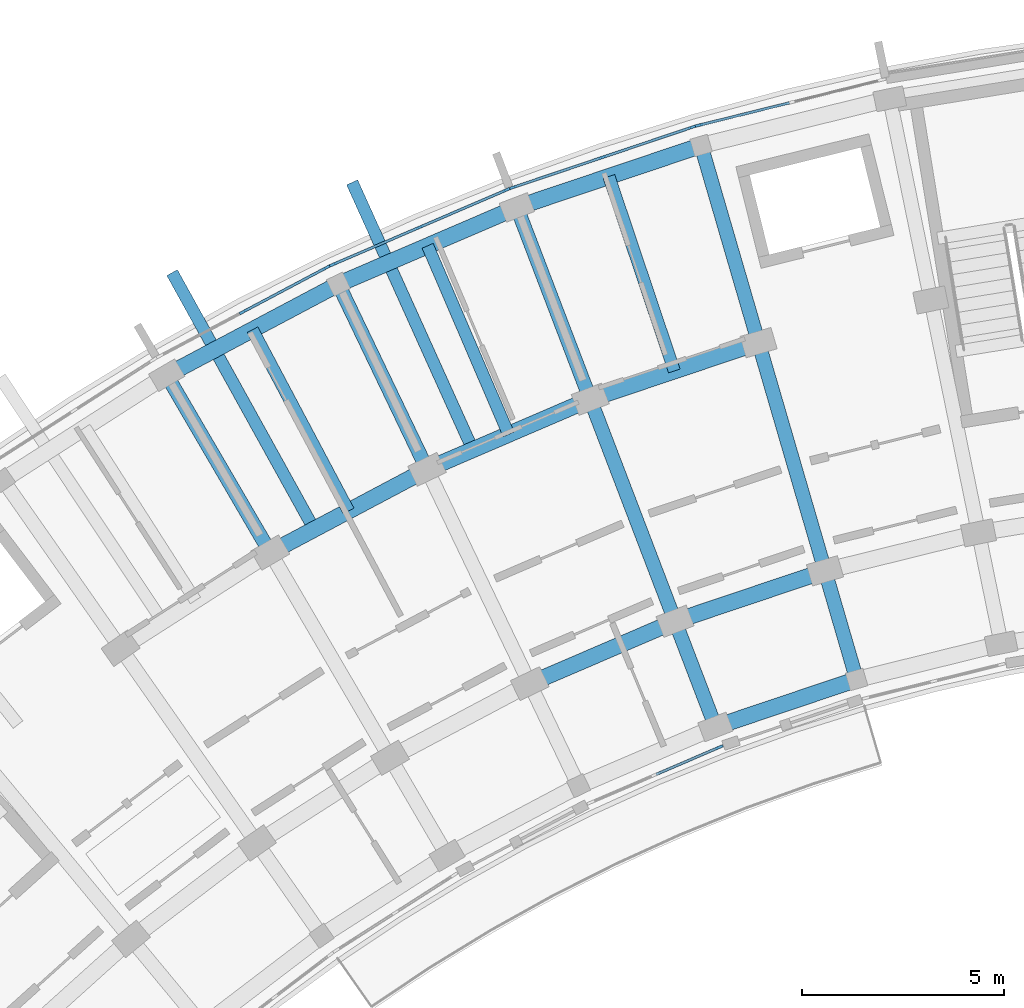
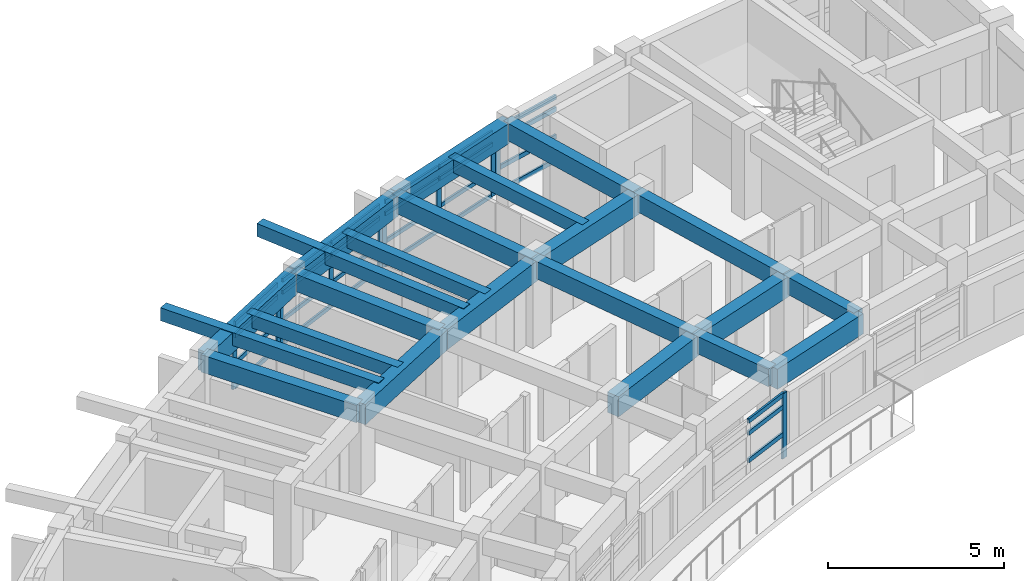
# One storey, part 5 of 56: 37 members, 22 beams, 5 elements without a shape of their own.
"""IFC4 building model written with IfcOpenShell, lengths in metres."""

from ifc_helpers import new_model, si_unit, direction, frame, origin, origin_2d, place, context, subcontext, project, spatial, rectangle, extrude, material, material_profile, profile_set, type_object, element, aggregate, save


model = new_model("IFC4")

# Units and contexts
model_context = context("Model", 3, precision=1e-05, world=origin(), true_north=direction((0.0, 1.0)))
body_context = subcontext(model_context, "Body", "Model", "MODEL_VIEW")
ifc_project = project(units=[si_unit("LENGTHUNIT", "METRE"), si_unit("AREAUNIT", "SQUARE_METRE"), si_unit("VOLUMEUNIT", "CUBIC_METRE"), si_unit("PLANEANGLEUNIT", "RADIAN"), si_unit("MASSUNIT", "GRAM", prefix="KILO")], contexts=[model_context])

# Site, building, storey
site_placement = place(None, origin())
site = spatial("IfcSite", under=ifc_project, at=site_placement, CompositionType="ELEMENT")
building_placement = place(site_placement, origin())
building = spatial("IfcBuilding", under=site, at=building_placement, Name="Zimvara Arc Housing Community", CompositionType="ELEMENT")
storey_placement = place(building_placement, frame((0.0, 0.0, 17.39990234375)))
storey = spatial("IfcBuildingStorey", under=building, at=storey_placement, Name="L05", CompositionType="ELEMENT", Elevation=17.39990234375)

# Beams
ifc_material_1 = material(Name="Concrete C40/50", Category="concrete")
ifc_material_profile_1 = material_profile(ifc_material_1, rectangle(XDim=0.300048828125, YDim=0.449951171875, at=origin_2d()), Name="RC 300x450")
ifc_profile_set_1 = profile_set([ifc_material_profile_1], Name="Concrete C40/50")
beam_type_1 = type_object("IfcBeamType", Name="BM-RC-300x450", PredefinedType="JOIST", material=ifc_profile_set_1)
beam_1_placement = place(storey_placement, frame((19.813232421875, 91.9892578125, 2.64501953125), z_axis=(-0.46853732736, 0.883443701019, 0.0), x_axis=(-0.883443701019, -0.46853732736, 0.0)))
element("IfcBeam", 1, at=beam_1_placement, inside=storey, type_object=beam_type_1, Name="bm:blkA:L05:joist:b4", PredefinedType="JOIST", context=body_context, shape_type="SweptSolid", body=[
    extrude(rectangle(XDim=0.300048828125, YDim=0.449951171875, at=origin_2d()), origin(), (0.0, 0.0, 1.0), 5.07568359375),
])
beam_2_placement = place(storey_placement, frame((23.77197265625, 93.885986328125, 2.64501953125), z_axis=(-0.394929109608, 0.918711596958, 0.0), x_axis=(-0.918711596958, -0.394929109608, 0.0)))
element("IfcBeam", 2, at=beam_2_placement, inside=storey, type_object=beam_type_1, Name="bm:blkA:L05:joist:b5", PredefinedType="JOIST", context=body_context, shape_type="SweptSolid", body=[
    extrude(rectangle(XDim=0.300048828125, YDim=0.449951171875, at=origin_2d()), origin(), (0.0, 0.0, 1.0), 5.075927734375),
])
beam_3_placement = place(storey_placement, frame((27.8720703125, 95.453369140625, 2.64501953125), z_axis=(-0.318607669836, 0.947886677152, 0.0), x_axis=(-0.947886677152, -0.318607669836, 0.0)))
element("IfcBeam", 3, at=beam_3_placement, inside=storey, type_object=beam_type_1, Name="bm:blkA:L05:joist:b6", PredefinedType="JOIST", context=body_context, shape_type="SweptSolid", body=[
    extrude(rectangle(XDim=0.300048828125, YDim=0.449951171875, at=origin_2d()), origin(), (0.0, 0.0, 1.0), 5.07568359375),
])
for number, where, z_axis, x_axis, name in (
    (4, (18.942138671875, 91.568359375, 2.6650390625), (-0.4843274379, 0.874886811477, 0.0), (-0.874886811477, -0.4843274379, 0.0), "bm:blkA:L05:cant_out:b4"),
    (5, (22.869384765625, 93.53759765625, 2.6650390625), (-0.411355676266, 0.91147490783, 0.0), (-0.91147490783, -0.411355676266, 0.0), "bm:blkA:L05:cant_out:b5"),
):
    element("IfcBeam", number, at=place(storey_placement, frame(where, z_axis=z_axis, x_axis=x_axis)), inside=storey, type_object=beam_type_1, Name=name, PredefinedType="JOIST", context=body_context, shape_type="SweptSolid", body=[
        extrude(rectangle(XDim=0.300048828125, YDim=0.449951171875, at=origin_2d()), origin(), (0.0, 0.0, 1.0), 7.219970703125),
    ])
ifc_material_2 = material(Name="Concrete C40/50", Category="concrete")
ifc_material_profile_2 = material_profile(ifc_material_2, rectangle(XDim=0.35009765625, YDim=0.60009765625, at=origin_2d()), Name="RC 350x600")
ifc_profile_set_2 = profile_set([ifc_material_profile_2], Name="Concrete C40/50")
beam_type_2 = type_object("IfcBeamType", Name="BM-RC-350x600", PredefinedType="BEAM", material=ifc_profile_set_2)
beam_4_placement = place(storey_placement, frame((17.87255859375, 90.960205078125, 2.570068359375), z_axis=(-0.504196701544, 0.863588840915, 0.0), x_axis=(-0.863588840915, -0.504196701544, 0.0)))
element("IfcBeam", 6, at=beam_4_placement, inside=storey, type_object=beam_type_2, Name="bm:blkA:L05:rad:b4:r23", PredefinedType="BEAM", context=body_context, shape_type="SweptSolid", body=[
    extrude(rectangle(XDim=0.35009765625, YDim=0.60009765625, at=origin_2d()), origin(), (0.0, 0.0, 1.0), 5.079833984375),
])
beam_5_placement = place(storey_placement, frame((21.75390625, 93.0185546875, 2.570068359375), z_axis=(-0.432098194978, 0.901826563091, 0.0), x_axis=(-0.901826563091, -0.432098194978, 0.0)))
element("IfcBeam", 7, at=beam_5_placement, inside=storey, type_object=beam_type_2, Name="bm:blkA:L05:rad:b5:r23", PredefinedType="BEAM", context=body_context, shape_type="SweptSolid", body=[
    extrude(rectangle(XDim=0.35009765625, YDim=0.60009765625, at=origin_2d()), origin(), (0.0, 0.0, 1.0), 5.080078125),
])
beam_6_placement = place(storey_placement, frame((28.88916015625, 86.645751953125, 2.570068359375), z_axis=(-0.357079289134, 0.934074076972, 0.0), x_axis=(-0.934074076972, -0.357079289134, 0.0)))
element("IfcBeam", 8, at=beam_6_placement, inside=storey, type_object=beam_type_2, Name="bm:blkA:L05:rad:b6:r01", PredefinedType="BEAM", context=body_context, shape_type="SweptSolid", body=[
    extrude(rectangle(XDim=0.35009765625, YDim=0.60009765625, at=origin_2d()), origin(), (0.0, 0.0, 1.0), 2.7998046875),
])
beam_7_placement = place(storey_placement, frame((27.889404296875, 89.260986328125, 2.570068359375), z_axis=(-0.357036247742, 0.934090529766, 0.0), x_axis=(-0.934090529766, -0.357036247742, 0.0)))
element("IfcBeam", 9, at=beam_7_placement, inside=storey, type_object=beam_type_2, Name="bm:blkA:L05:rad:b6:r12", PredefinedType="BEAM", context=body_context, shape_type="SweptSolid", body=[
    extrude(rectangle(XDim=0.35009765625, YDim=0.60009765625, at=origin_2d()), origin(), (0.0, 0.0, 1.0), 5.8798828125),
])
beam_8_placement = place(storey_placement, frame((25.7900390625, 94.75341796875, 2.570068359375), z_axis=(-0.357078271386, 0.934074466038, 0.0), x_axis=(-0.934074466038, -0.357078271386, 0.0)))
element("IfcBeam", 10, at=beam_8_placement, inside=storey, type_object=beam_type_2, Name="bm:blkA:L05:rad:b6:r23", PredefinedType="BEAM", context=body_context, shape_type="SweptSolid", body=[
    extrude(rectangle(XDim=0.35009765625, YDim=0.60009765625, at=origin_2d()), origin(), (0.0, 0.0, 1.0), 5.080078125),
])
beam_9_placement = place(storey_placement, frame((32.381591796875, 87.819580078125, 2.570068359375), z_axis=(-0.279635015525, 0.960106378529, 0.0), x_axis=(-0.960106378529, -0.279635015525, 0.0)))
element("IfcBeam", 11, at=beam_9_placement, inside=storey, type_object=beam_type_2, Name="bm:blkA:L05:rad:b7:r01", PredefinedType="BEAM", context=body_context, shape_type="SweptSolid", body=[
    extrude(rectangle(XDim=0.35009765625, YDim=0.60009765625, at=origin_2d()), origin(), (0.0, 0.0, 1.0), 2.800048828125),
])
beam_10_placement = place(storey_placement, frame((31.5986328125, 90.5078125, 2.570068359375), z_axis=(-0.27967473749, 0.960094808449, 0.0), x_axis=(-0.960094808449, -0.27967473749, 0.0)))
element("IfcBeam", 12, at=beam_10_placement, inside=storey, type_object=beam_type_2, Name="bm:blkA:L05:rad:b7:r12", PredefinedType="BEAM", context=body_context, shape_type="SweptSolid", body=[
    extrude(rectangle(XDim=0.35009765625, YDim=0.60009765625, at=origin_2d()), origin(), (0.0, 0.0, 1.0), 5.880126953125),
])
beam_11_placement = place(storey_placement, frame((29.9541015625, 96.1533203125, 2.570068359375), z_axis=(-0.279662254096, 0.960098444762, 0.0), x_axis=(-0.960098444762, -0.279662254096, 0.0)))
element("IfcBeam", 13, at=beam_11_placement, inside=storey, type_object=beam_type_2, Name="bm:blkA:L05:rad:b7:r23", PredefinedType="BEAM", context=body_context, shape_type="SweptSolid", body=[
    extrude(rectangle(XDim=0.35009765625, YDim=0.60009765625, at=origin_2d()), origin(), (0.0, 0.0, 1.0), 5.079833984375),
])
ifc_material_3 = material(Name="Concrete C40/50", Category="concrete")
ifc_material_profile_3 = material_profile(ifc_material_3, rectangle(XDim=0.39990234375, YDim=0.699951171875, at=origin_2d()), Name="RC 400x700")
ifc_profile_set_3 = profile_set([ifc_material_profile_3], Name="Concrete C40/50")
beam_type_3 = type_object("IfcBeamType", Name="BM-RC-400x700", PredefinedType="BEAM", material=ifc_profile_set_3)
beam_12_placement = place(storey_placement, frame((28.88916015625, 86.645751953125, 2.52001953125), z_axis=(0.94789181932, 0.31859237101, 0.0), x_axis=(-0.31859237101, 0.94789181932, 0.0)))
element("IfcBeam", 14, at=beam_12_placement, inside=storey, type_object=beam_type_3, Name="bm:blkA:L05:chord:r0:b6", PredefinedType="BEAM", context=body_context, shape_type="SweptSolid", body=[
    extrude(rectangle(XDim=0.39990234375, YDim=0.699951171875, at=origin_2d()), origin(), (0.0, 0.0, 1.0), 3.684326171875),
])
for number, where, z_axis, x_axis, name in (
    (15, (24.29443359375, 87.7158203125, 2.52001953125), (0.91873144242, 0.394882940514, 0.0), (-0.394882940514, 0.91873144242, 0.0), "bm:blkA:L05:chord:r1:b5"),
    (16, (27.889404296875, 89.260986328125, 2.52001953125), (0.947881689069, 0.31862250945, 0.0), (-0.31862250945, 0.947881689069, 0.0), "bm:blkA:L05:chord:r1:b6"),
):
    element("IfcBeam", number, at=place(storey_placement, frame(where, z_axis=z_axis, x_axis=x_axis)), inside=storey, type_object=beam_type_3, Name=name, PredefinedType="BEAM", context=body_context, shape_type="SweptSolid", body=[
        extrude(rectangle(XDim=0.39990234375, YDim=0.699951171875, at=origin_2d()), origin(), (0.0, 0.0, 1.0), 3.9130859375),
    ])
for number, where, z_axis, x_axis, name in (
    (17, (17.87255859375, 90.960205078125, 2.52001953125), (0.883456526058, 0.468513144496, 0.0), (-0.468513144496, 0.883456526058, 0.0), "bm:blkA:L05:chord:r2:b4"),
    (18, (21.75390625, 93.0185546875, 2.52001953125), (0.918724840088, 0.394898301093, 0.0), (-0.394898301093, 0.918724840088, 0.0), "bm:blkA:L05:chord:r2:b5"),
):
    element("IfcBeam", number, at=place(storey_placement, frame(where, z_axis=z_axis, x_axis=x_axis)), inside=storey, type_object=beam_type_3, Name=name, PredefinedType="BEAM", context=body_context, shape_type="SweptSolid", body=[
        extrude(rectangle(XDim=0.39990234375, YDim=0.699951171875, at=origin_2d()), origin(), (0.0, 0.0, 1.0), 4.393310546875),
    ])
beam_13_placement = place(storey_placement, frame((25.7900390625, 94.75341796875, 2.52001953125), z_axis=(0.947868796036, 0.318660862832, 0.0), x_axis=(-0.318660862832, 0.947868796036, 0.0)))
element("IfcBeam", 19, at=beam_13_placement, inside=storey, type_object=beam_type_3, Name="bm:blkA:L05:chord:r2:b6", PredefinedType="BEAM", context=body_context, shape_type="SweptSolid", body=[
    extrude(rectangle(XDim=0.39990234375, YDim=0.699951171875, at=origin_2d()), origin(), (0.0, 0.0, 1.0), 4.39306640625),
])
beam_14_placement = place(storey_placement, frame((15.311279296875, 95.34716796875, 2.52001953125), z_axis=(0.883445542299, 0.468533855546, 0.0), x_axis=(-0.468533855546, 0.883445542299, 0.0)))
element("IfcBeam", 20, at=beam_14_placement, inside=storey, type_object=beam_type_3, Name="bm:blkA:L05:chord:r3:b4", PredefinedType="BEAM", context=body_context, shape_type="SweptSolid", body=[
    extrude(rectangle(XDim=0.39990234375, YDim=0.699951171875, at=origin_2d()), origin(), (0.0, 0.0, 1.0), 4.807861328125),
])
beam_15_placement = place(storey_placement, frame((19.558837890625, 97.599853515625, 2.52001953125), z_axis=(0.918724276228, 0.394899612901, 0.0), x_axis=(-0.394899612901, 0.918724276228, 0.0)))
element("IfcBeam", 21, at=beam_15_placement, inside=storey, type_object=beam_type_3, Name="bm:blkA:L05:chord:r3:b5", PredefinedType="BEAM", context=body_context, shape_type="SweptSolid", body=[
    extrude(rectangle(XDim=0.39990234375, YDim=0.699951171875, at=origin_2d()), origin(), (0.0, 0.0, 1.0), 4.80810546875),
])
beam_16_placement = place(storey_placement, frame((23.97607421875, 99.49853515625, 2.52001953125), z_axis=(0.947877948153, 0.31863363822, 0.0), x_axis=(-0.31863363822, 0.947877948153, 0.0)))
element("IfcBeam", 22, at=beam_16_placement, inside=storey, type_object=beam_type_3, Name="bm:blkA:L05:chord:r3:b6", PredefinedType="BEAM", context=body_context, shape_type="SweptSolid", body=[
    extrude(rectangle(XDim=0.39990234375, YDim=0.699951171875, at=origin_2d()), origin(), (0.0, 0.0, 1.0), 4.807861328125),
])

# Curtain wall, members
ifc_material_4 = material(Name="Anodised Aluminium AW-6063", Category="aluminium")
curtain_wall_type_1 = type_object("IfcCurtainWallType", Name="CW-SYS-02", PredefinedType="USERDEFINED", material=ifc_material_4)
curtain_wall_1_placement = place(storey_placement, origin())
curtain_wall_1 = element("IfcCurtainWall", 23, at=curtain_wall_1_placement, inside=storey, type_object=curtain_wall_type_1, Name="cw:blkA:L05:out:b5", ObjectType="CURTAIN WALL", PredefinedType="USERDEFINED")
ifc_material_5 = material(Name="Anodised Aluminium AW-6063", Category="aluminium")
ifc_material_profile_4 = material_profile(ifc_material_5, rectangle(XDim=0.06494140625, YDim=0.179931640625, at=origin_2d()), Name="ALU 65x180")
ifc_profile_set_4 = profile_set([ifc_material_profile_4], Name="Anodised Aluminium AW-6063")
member_type_1 = type_object("IfcMemberType", Name="CWM-65x150", PredefinedType="MULLION", material=ifc_profile_set_4)
member_1_placement = place(storey_placement, frame((19.427734375, 98.08740234375, 0.0), z_axis=(0.0, 0.0, 1.0), x_axis=(-0.394904211998, 0.918722299363, 0.0)))
member_1 = element("IfcMember", 24, at=member_1_placement, type_object=member_type_1, Name="CW02 mullion 1", PredefinedType="MULLION", context=body_context, shape_type="SweptSolid", body=[
    extrude(rectangle(XDim=0.06494140625, YDim=0.179931640625, at=origin_2d()), origin(), (0.0, 0.0, 1.0), 2.25),
])
member_2_placement = place(storey_placement, frame((21.570068359375, 99.00830078125, 0.0), z_axis=(0.0, 0.0, 1.0), x_axis=(-0.394904211998, 0.918722299363, 0.0)))
member_2 = element("IfcMember", 25, at=member_2_placement, type_object=member_type_1, Name="CW02 mullion 2", PredefinedType="MULLION", context=body_context, shape_type="SweptSolid", body=[
    extrude(rectangle(XDim=0.06494140625, YDim=0.179931640625, at=origin_2d()), origin(), (0.0, 0.0, 1.0), 2.25),
])
member_3_placement = place(storey_placement, frame((23.712646484375, 99.92919921875, 0.0), z_axis=(0.0, 0.0, 1.0), x_axis=(-0.394904211998, 0.918722299363, 0.0)))
member_3 = element("IfcMember", 26, at=member_3_placement, type_object=member_type_1, Name="CW02 mullion 3", PredefinedType="MULLION", context=body_context, shape_type="SweptSolid", body=[
    extrude(rectangle(XDim=0.06494140625, YDim=0.179931640625, at=origin_2d()), origin(), (0.0, 0.0, 1.0), 2.25),
])

ifc_material_6 = material(Name="Anodised Aluminium AW-6063", Category="aluminium")
curtain_wall_type_2 = type_object("IfcCurtainWallType", Name="CW-SYS-04", PredefinedType="USERDEFINED", material=ifc_material_6)
curtain_wall_2_placement = place(storey_placement, origin())
curtain_wall_2 = element("IfcCurtainWall", 27, at=curtain_wall_2_placement, inside=storey, type_object=curtain_wall_type_2, Name="cw:blkA:L05:out:b6", ObjectType="CURTAIN WALL", PredefinedType="USERDEFINED")
member_4_placement = place(storey_placement, frame((23.88525390625, 99.9951171875, 0.0), z_axis=(0.0, 0.0, 1.0), x_axis=(-0.318628583921, 0.947879647164, 0.0)))
member_4 = element("IfcMember", 28, at=member_4_placement, type_object=member_type_1, Name="CW04 mullion 1", PredefinedType="MULLION", context=body_context, shape_type="SweptSolid", body=[
    extrude(rectangle(XDim=0.06494140625, YDim=0.179931640625, at=origin_2d()), origin(), (0.0, 0.0, 1.0), 2.25),
])
member_5_placement = place(storey_placement, frame((26.095703125, 100.73828125, 0.0), z_axis=(0.0, 0.0, 1.0), x_axis=(-0.318628583921, 0.947879647164, 0.0)))
member_5 = element("IfcMember", 29, at=member_5_placement, type_object=member_type_1, Name="CW04 mullion 2", PredefinedType="MULLION", context=body_context, shape_type="SweptSolid", body=[
    extrude(rectangle(XDim=0.06494140625, YDim=0.179931640625, at=origin_2d()), origin(), (0.0, 0.0, 1.0), 2.25),
])
member_6_placement = place(storey_placement, frame((28.305908203125, 101.481201171875, 0.0), z_axis=(0.0, 0.0, 1.0), x_axis=(-0.318628583921, 0.947879647164, 0.0)))
member_6 = element("IfcMember", 30, at=member_6_placement, type_object=member_type_1, Name="CW04 mullion 3", PredefinedType="MULLION", context=body_context, shape_type="SweptSolid", body=[
    extrude(rectangle(XDim=0.06494140625, YDim=0.179931640625, at=origin_2d()), origin(), (0.0, 0.0, 1.0), 2.25),
])

ifc_material_7 = material(Name="Anodised Aluminium AW-6063", Category="aluminium")
curtain_wall_type_3 = type_object("IfcCurtainWallType", Name="CW-SYS-01", PredefinedType="USERDEFINED", material=ifc_material_7)
curtain_wall_3_placement = place(storey_placement, origin())
curtain_wall_3 = element("IfcCurtainWall", 31, at=curtain_wall_3_placement, inside=storey, type_object=curtain_wall_type_3, Name="cw:blkA:L05:out:b4", ObjectType="CURTAIN WALL", PredefinedType="USERDEFINED")
ifc_material_8 = material(Name="Anodised Aluminium AW-6063", Category="aluminium")
ifc_material_profile_5 = material_profile(ifc_material_8, rectangle(XDim=0.06494140625, YDim=0.195068359375, at=origin_2d()), Name="ALU 65x195")
ifc_profile_set_5 = profile_set([ifc_material_profile_5], Name="Anodised Aluminium AW-6063")
member_type_2 = type_object("IfcMemberType", Name="CWM-65x180", PredefinedType="MULLION", material=ifc_profile_set_5)
member_7_placement = place(storey_placement, frame((17.200927734375, 96.914794921875, 0.0), z_axis=(0.0, 0.0, 1.0), x_axis=(-0.468546917761, 0.883438614651, 0.0)))
member_7 = element("IfcMember", 32, at=member_7_placement, type_object=member_type_2, Name="CW01 mullion 2", PredefinedType="MULLION", context=body_context, shape_type="SweptSolid", body=[
    extrude(rectangle(XDim=0.06494140625, YDim=0.195068359375, at=origin_2d()), origin(), (0.0, 0.0, 1.0), 2.25),
])
member_8_placement = place(storey_placement, frame((19.260986328125, 98.007568359375, 0.0), z_axis=(0.0, 0.0, 1.0), x_axis=(-0.468546917761, 0.883438614651, 0.0)))
member_8 = element("IfcMember", 33, at=member_8_placement, type_object=member_type_2, Name="CW01 mullion 3", PredefinedType="MULLION", context=body_context, shape_type="SweptSolid", body=[
    extrude(rectangle(XDim=0.06494140625, YDim=0.195068359375, at=origin_2d()), origin(), (0.0, 0.0, 1.0), 2.25),
])

# Curtain wall, member
ifc_material_9 = material(Name="Anodised Aluminium AW-6063", Category="aluminium")
curtain_wall_type_4 = type_object("IfcCurtainWallType", Name="CW-SYS-03", PredefinedType="USERDEFINED", material=ifc_material_9)
curtain_wall_4_placement = place(storey_placement, origin())
curtain_wall_4 = element("IfcCurtainWall", 34, at=curtain_wall_4_placement, inside=storey, type_object=curtain_wall_type_4, Name="cw:blkA:L05:in:b5", ObjectType="CURTAIN WALL", PredefinedType="USERDEFINED")
member_9_placement = place(storey_placement, frame((28.98291015625, 86.14208984375, 0.0), z_axis=(0.0, 0.0, 1.0), x_axis=(-0.394904493375, 0.918722178415, 0.0)))
member_9 = element("IfcMember", 35, at=member_9_placement, type_object=member_type_2, Name="CW03 mullion 3", PredefinedType="MULLION", context=body_context, shape_type="SweptSolid", body=[
    extrude(rectangle(XDim=0.06494140625, YDim=0.195068359375, at=origin_2d()), origin(), (0.0, 0.0, 1.0), 2.25),
])

ifc_material_10 = material(Name="Anodised Aluminium AW-6063", Category="aluminium")
curtain_wall_type_5 = type_object("IfcCurtainWallType", Name="CW-SYS-05", PredefinedType="USERDEFINED", material=ifc_material_10)
curtain_wall_5_placement = place(storey_placement, origin())
curtain_wall_5 = element("IfcCurtainWall", 36, at=curtain_wall_5_placement, inside=storey, type_object=curtain_wall_type_5, Name="cw:blkA:L05:out:b7", ObjectType="CURTAIN WALL", PredefinedType="USERDEFINED")
member_10_placement = place(storey_placement, frame((28.4833984375, 101.532958984375, 0.0), z_axis=(0.0, 0.0, 1.0), x_axis=(-0.240229711131, 0.970716068627, 0.0)))
member_10 = element("IfcMember", 37, at=member_10_placement, type_object=member_type_2, Name="CW05 mullion 1", PredefinedType="MULLION", context=body_context, shape_type="SweptSolid", body=[
    extrude(rectangle(XDim=0.06494140625, YDim=0.195068359375, at=origin_2d()), origin(), (0.0, 0.0, 1.0), 2.25),
])

# Member
ifc_material_11 = material(Name="Anodised Aluminium AW-6063", Category="aluminium")
ifc_material_profile_6 = material_profile(ifc_material_11, rectangle(XDim=0.06494140625, YDim=0.139892578125, at=origin_2d()), Name="ALU 65x140")
ifc_profile_set_6 = profile_set([ifc_material_profile_6], Name="Anodised Aluminium AW-6063")
member_type_3 = type_object("IfcMemberType", Name="CWT-65x120", PredefinedType="USERDEFINED", material=ifc_profile_set_6)
member_11_placement = place(storey_placement, frame((19.45751953125, 98.10009765625, 0.03271484375), z_axis=(0.918721157939, 0.394906867444, 0.0), x_axis=(-0.394906867444, 0.918721157939, 0.0)))
member_11 = element("IfcMember", 38, at=member_11_placement, type_object=member_type_3, Name="CW02 transom 1.1", ObjectType="TRANSOM", PredefinedType="USERDEFINED", context=body_context, shape_type="SweptSolid", body=[
    extrude(rectangle(XDim=0.06494140625, YDim=0.139892578125, at=origin_2d()), origin(), (0.0, 0.0, 1.0), 2.26708984375),
])

member_12_placement = place(storey_placement, frame((19.45751953125, 98.10009765625, 0.85009765625), z_axis=(0.918721157939, 0.394906867444, 0.0), x_axis=(-0.394906867444, 0.918721157939, 0.0)))
member_12 = element("IfcMember", 39, at=member_12_placement, type_object=member_type_3, Name="CW02 transom 1.2", ObjectType="TRANSOM", PredefinedType="USERDEFINED", context=body_context, shape_type="SweptSolid", body=[
    extrude(rectangle(XDim=0.06494140625, YDim=0.139892578125, at=origin_2d()), origin(), (0.0, 0.0, 1.0), 2.26708984375),
])

member_13_placement = place(storey_placement, frame((19.45751953125, 98.10009765625, 1.800048828125), z_axis=(0.918721157939, 0.394906867444, 0.0), x_axis=(-0.394906867444, 0.918721157939, 0.0)))
member_13 = element("IfcMember", 40, at=member_13_placement, type_object=member_type_3, Name="CW02 transom 1.3", ObjectType="TRANSOM", PredefinedType="USERDEFINED", context=body_context, shape_type="SweptSolid", body=[
    extrude(rectangle(XDim=0.06494140625, YDim=0.139892578125, at=origin_2d()), origin(), (0.0, 0.0, 1.0), 2.26708984375),
])

member_14_placement = place(storey_placement, frame((19.45751953125, 98.10009765625, 2.217529296875), z_axis=(0.918721157939, 0.394906867444, 0.0), x_axis=(-0.394906867444, 0.918721157939, 0.0)))
member_14 = element("IfcMember", 41, at=member_14_placement, type_object=member_type_3, Name="CW02 transom 1.4", ObjectType="TRANSOM", PredefinedType="USERDEFINED", context=body_context, shape_type="SweptSolid", body=[
    extrude(rectangle(XDim=0.06494140625, YDim=0.139892578125, at=origin_2d()), origin(), (0.0, 0.0, 1.0), 2.26708984375),
])

member_15_placement = place(storey_placement, frame((21.60009765625, 99.02099609375, 0.03271484375), z_axis=(0.918704360712, 0.394945942641, 0.0), x_axis=(-0.394945942641, 0.918704360712, 0.0)))
member_15 = element("IfcMember", 42, at=member_15_placement, type_object=member_type_3, Name="CW02 transom 2.1", ObjectType="TRANSOM", PredefinedType="USERDEFINED", context=body_context, shape_type="SweptSolid", body=[
    extrude(rectangle(XDim=0.06494140625, YDim=0.139892578125, at=origin_2d()), origin(), (0.0, 0.0, 1.0), 2.266845703125),
])

member_16_placement = place(storey_placement, frame((21.60009765625, 99.02099609375, 0.85009765625), z_axis=(0.918704360712, 0.394945942641, 0.0), x_axis=(-0.394945942641, 0.918704360712, 0.0)))
member_16 = element("IfcMember", 43, at=member_16_placement, type_object=member_type_3, Name="CW02 transom 2.2", ObjectType="TRANSOM", PredefinedType="USERDEFINED", context=body_context, shape_type="SweptSolid", body=[
    extrude(rectangle(XDim=0.06494140625, YDim=0.139892578125, at=origin_2d()), origin(), (0.0, 0.0, 1.0), 2.266845703125),
])

member_17_placement = place(storey_placement, frame((21.60009765625, 99.02099609375, 1.800048828125), z_axis=(0.918704360712, 0.394945942641, 0.0), x_axis=(-0.394945942641, 0.918704360712, 0.0)))
member_17 = element("IfcMember", 44, at=member_17_placement, type_object=member_type_3, Name="CW02 transom 2.3", ObjectType="TRANSOM", PredefinedType="USERDEFINED", context=body_context, shape_type="SweptSolid", body=[
    extrude(rectangle(XDim=0.06494140625, YDim=0.139892578125, at=origin_2d()), origin(), (0.0, 0.0, 1.0), 2.266845703125),
])

member_18_placement = place(storey_placement, frame((21.60009765625, 99.02099609375, 2.217529296875), z_axis=(0.918704360712, 0.394945942641, 0.0), x_axis=(-0.394945942641, 0.918704360712, 0.0)))
member_18 = element("IfcMember", 45, at=member_18_placement, type_object=member_type_3, Name="CW02 transom 2.4", ObjectType="TRANSOM", PredefinedType="USERDEFINED", context=body_context, shape_type="SweptSolid", body=[
    extrude(rectangle(XDim=0.06494140625, YDim=0.139892578125, at=origin_2d()), origin(), (0.0, 0.0, 1.0), 2.266845703125),
])

aggregate(curtain_wall_1, [member_1, member_2, member_3, member_11, member_12, member_13, member_14, member_15, member_16, member_17, member_18])

member_19_placement = place(storey_placement, frame((23.916015625, 100.00537109375, 0.03271484375), z_axis=(0.947861605379, 0.318682250916, 0.0), x_axis=(-0.318682250916, 0.947861605379, 0.0)))
member_19 = element("IfcMember", 46, at=member_19_placement, type_object=member_type_3, Name="CW04 transom 1.1", ObjectType="TRANSOM", PredefinedType="USERDEFINED", context=body_context, shape_type="SweptSolid", body=[
    extrude(rectangle(XDim=0.06494140625, YDim=0.139892578125, at=origin_2d()), origin(), (0.0, 0.0, 1.0), 2.266845703125),
])

member_20_placement = place(storey_placement, frame((23.916015625, 100.00537109375, 0.85009765625), z_axis=(0.947861605379, 0.318682250916, 0.0), x_axis=(-0.318682250916, 0.947861605379, 0.0)))
member_20 = element("IfcMember", 47, at=member_20_placement, type_object=member_type_3, Name="CW04 transom 1.2", ObjectType="TRANSOM", PredefinedType="USERDEFINED", context=body_context, shape_type="SweptSolid", body=[
    extrude(rectangle(XDim=0.06494140625, YDim=0.139892578125, at=origin_2d()), origin(), (0.0, 0.0, 1.0), 2.266845703125),
])

member_21_placement = place(storey_placement, frame((23.916015625, 100.00537109375, 1.800048828125), z_axis=(0.947861605379, 0.318682250916, 0.0), x_axis=(-0.318682250916, 0.947861605379, 0.0)))
member_21 = element("IfcMember", 48, at=member_21_placement, type_object=member_type_3, Name="CW04 transom 1.3", ObjectType="TRANSOM", PredefinedType="USERDEFINED", context=body_context, shape_type="SweptSolid", body=[
    extrude(rectangle(XDim=0.06494140625, YDim=0.139892578125, at=origin_2d()), origin(), (0.0, 0.0, 1.0), 2.266845703125),
])

member_22_placement = place(storey_placement, frame((23.916015625, 100.00537109375, 2.217529296875), z_axis=(0.947861605379, 0.318682250916, 0.0), x_axis=(-0.318682250916, 0.947861605379, 0.0)))
member_22 = element("IfcMember", 49, at=member_22_placement, type_object=member_type_3, Name="CW04 transom 1.4", ObjectType="TRANSOM", PredefinedType="USERDEFINED", context=body_context, shape_type="SweptSolid", body=[
    extrude(rectangle(XDim=0.06494140625, YDim=0.139892578125, at=origin_2d()), origin(), (0.0, 0.0, 1.0), 2.266845703125),
])

member_23_placement = place(storey_placement, frame((26.12646484375, 100.74853515625, 0.03271484375), z_axis=(0.947861605379, 0.318682250916, 0.0), x_axis=(-0.318682250916, 0.947861605379, 0.0)))
member_23 = element("IfcMember", 50, at=member_23_placement, type_object=member_type_3, Name="CW04 transom 2.1", ObjectType="TRANSOM", PredefinedType="USERDEFINED", context=body_context, shape_type="SweptSolid", body=[
    extrude(rectangle(XDim=0.06494140625, YDim=0.139892578125, at=origin_2d()), origin(), (0.0, 0.0, 1.0), 2.266845703125),
])

member_24_placement = place(storey_placement, frame((26.12646484375, 100.74853515625, 0.85009765625), z_axis=(0.947861605379, 0.318682250916, 0.0), x_axis=(-0.318682250916, 0.947861605379, 0.0)))
member_24 = element("IfcMember", 51, at=member_24_placement, type_object=member_type_3, Name="CW04 transom 2.2", ObjectType="TRANSOM", PredefinedType="USERDEFINED", context=body_context, shape_type="SweptSolid", body=[
    extrude(rectangle(XDim=0.06494140625, YDim=0.139892578125, at=origin_2d()), origin(), (0.0, 0.0, 1.0), 2.266845703125),
])

member_25_placement = place(storey_placement, frame((26.12646484375, 100.74853515625, 1.800048828125), z_axis=(0.947861605379, 0.318682250916, 0.0), x_axis=(-0.318682250916, 0.947861605379, 0.0)))
member_25 = element("IfcMember", 52, at=member_25_placement, type_object=member_type_3, Name="CW04 transom 2.3", ObjectType="TRANSOM", PredefinedType="USERDEFINED", context=body_context, shape_type="SweptSolid", body=[
    extrude(rectangle(XDim=0.06494140625, YDim=0.139892578125, at=origin_2d()), origin(), (0.0, 0.0, 1.0), 2.266845703125),
])

member_26_placement = place(storey_placement, frame((26.12646484375, 100.74853515625, 2.217529296875), z_axis=(0.947861605379, 0.318682250916, 0.0), x_axis=(-0.318682250916, 0.947861605379, 0.0)))
member_26 = element("IfcMember", 53, at=member_26_placement, type_object=member_type_3, Name="CW04 transom 2.4", ObjectType="TRANSOM", PredefinedType="USERDEFINED", context=body_context, shape_type="SweptSolid", body=[
    extrude(rectangle(XDim=0.06494140625, YDim=0.139892578125, at=origin_2d()), origin(), (0.0, 0.0, 1.0), 2.266845703125),
])

aggregate(curtain_wall_2, [member_4, member_5, member_6, member_19, member_20, member_21, member_22, member_23, member_24, member_25, member_26])

ifc_material_12 = material(Name="Anodised Aluminium AW-6063", Category="aluminium")
ifc_material_profile_7 = material_profile(ifc_material_12, rectangle(XDim=0.06494140625, YDim=0.155029296875, at=origin_2d()), Name="ALU 65x155")
ifc_profile_set_7 = profile_set([ifc_material_profile_7], Name="Anodised Aluminium AW-6063")
member_type_4 = type_object("IfcMemberType", Name="CWT-65x140", PredefinedType="USERDEFINED", material=ifc_profile_set_7)
member_27_placement = place(storey_placement, frame((17.2294921875, 96.93017578125, 0.03271484375), z_axis=(0.883489114766, 0.468451688107, 0.0), x_axis=(-0.468451688107, 0.883489114766, 0.0)))
member_27 = element("IfcMember", 54, at=member_27_placement, type_object=member_type_4, Name="CW01 transom 2.1", ObjectType="TRANSOM", PredefinedType="USERDEFINED", context=body_context, shape_type="SweptSolid", body=[
    extrude(rectangle(XDim=0.06494140625, YDim=0.155029296875, at=origin_2d()), origin(), (0.0, 0.0, 1.0), 2.26708984375),
])

member_28_placement = place(storey_placement, frame((17.2294921875, 96.93017578125, 0.85009765625), z_axis=(0.883489114766, 0.468451688107, 0.0), x_axis=(-0.468451688107, 0.883489114766, 0.0)))
member_28 = element("IfcMember", 55, at=member_28_placement, type_object=member_type_4, Name="CW01 transom 2.2", ObjectType="TRANSOM", PredefinedType="USERDEFINED", context=body_context, shape_type="SweptSolid", body=[
    extrude(rectangle(XDim=0.06494140625, YDim=0.155029296875, at=origin_2d()), origin(), (0.0, 0.0, 1.0), 2.26708984375),
])

member_29_placement = place(storey_placement, frame((17.2294921875, 96.93017578125, 1.800048828125), z_axis=(0.883489114766, 0.468451688107, 0.0), x_axis=(-0.468451688107, 0.883489114766, 0.0)))
member_29 = element("IfcMember", 56, at=member_29_placement, type_object=member_type_4, Name="CW01 transom 2.3", ObjectType="TRANSOM", PredefinedType="USERDEFINED", context=body_context, shape_type="SweptSolid", body=[
    extrude(rectangle(XDim=0.06494140625, YDim=0.155029296875, at=origin_2d()), origin(), (0.0, 0.0, 1.0), 2.26708984375),
])

member_30_placement = place(storey_placement, frame((17.2294921875, 96.93017578125, 2.217529296875), z_axis=(0.883489114766, 0.468451688107, 0.0), x_axis=(-0.468451688107, 0.883489114766, 0.0)))
member_30 = element("IfcMember", 57, at=member_30_placement, type_object=member_type_4, Name="CW01 transom 2.4", ObjectType="TRANSOM", PredefinedType="USERDEFINED", context=body_context, shape_type="SweptSolid", body=[
    extrude(rectangle(XDim=0.06494140625, YDim=0.155029296875, at=origin_2d()), origin(), (0.0, 0.0, 1.0), 2.26708984375),
])

aggregate(curtain_wall_3, [member_7, member_8, member_27, member_28, member_29, member_30])

member_31_placement = place(storey_placement, frame((27.423828125, 85.471923828125, 0.85009765625), z_axis=(0.918673978315, 0.395016609229, 0.0), x_axis=(-0.395016609229, 0.918673978315, 0.0)))
member_31 = element("IfcMember", 58, at=member_31_placement, type_object=member_type_4, Name="CW03 transom 2.2", ObjectType="TRANSOM", PredefinedType="USERDEFINED", context=body_context, shape_type="SweptSolid", body=[
    extrude(rectangle(XDim=0.06494140625, YDim=0.155029296875, at=origin_2d()), origin(), (0.0, 0.0, 1.0), 1.664306640625),
])

member_32_placement = place(storey_placement, frame((27.423828125, 85.471923828125, 1.800048828125), z_axis=(0.918673978315, 0.395016609229, 0.0), x_axis=(-0.395016609229, 0.918673978315, 0.0)))
member_32 = element("IfcMember", 59, at=member_32_placement, type_object=member_type_4, Name="CW03 transom 2.3", ObjectType="TRANSOM", PredefinedType="USERDEFINED", context=body_context, shape_type="SweptSolid", body=[
    extrude(rectangle(XDim=0.06494140625, YDim=0.155029296875, at=origin_2d()), origin(), (0.0, 0.0, 1.0), 1.664306640625),
])

member_33_placement = place(storey_placement, frame((27.423828125, 85.471923828125, 2.217529296875), z_axis=(0.918673978315, 0.395016609229, 0.0), x_axis=(-0.395016609229, 0.918673978315, 0.0)))
member_33 = element("IfcMember", 60, at=member_33_placement, type_object=member_type_4, Name="CW03 transom 2.4", ObjectType="TRANSOM", PredefinedType="USERDEFINED", context=body_context, shape_type="SweptSolid", body=[
    extrude(rectangle(XDim=0.06494140625, YDim=0.155029296875, at=origin_2d()), origin(), (0.0, 0.0, 1.0), 1.664306640625),
])

aggregate(curtain_wall_4, [member_9, member_31, member_32, member_33])

member_34_placement = place(storey_placement, frame((28.51513671875, 101.540771484375, 0.03271484375), z_axis=(0.970728837212, 0.240178110172, 0.0), x_axis=(-0.240178110172, 0.970728837212, 0.0)))
member_34 = element("IfcMember", 61, at=member_34_placement, type_object=member_type_4, Name="CW05 transom 1.1", ObjectType="TRANSOM", PredefinedType="USERDEFINED", context=body_context, shape_type="SweptSolid", body=[
    extrude(rectangle(XDim=0.06494140625, YDim=0.155029296875, at=origin_2d()), origin(), (0.0, 0.0, 1.0), 2.266845703125),
])

member_35_placement = place(storey_placement, frame((28.51513671875, 101.540771484375, 0.85009765625), z_axis=(0.970728837212, 0.240178110172, 0.0), x_axis=(-0.240178110172, 0.970728837212, 0.0)))
member_35 = element("IfcMember", 62, at=member_35_placement, type_object=member_type_4, Name="CW05 transom 1.2", ObjectType="TRANSOM", PredefinedType="USERDEFINED", context=body_context, shape_type="SweptSolid", body=[
    extrude(rectangle(XDim=0.06494140625, YDim=0.155029296875, at=origin_2d()), origin(), (0.0, 0.0, 1.0), 2.266845703125),
])

member_36_placement = place(storey_placement, frame((28.51513671875, 101.540771484375, 1.800048828125), z_axis=(0.970728837212, 0.240178110172, 0.0), x_axis=(-0.240178110172, 0.970728837212, 0.0)))
member_36 = element("IfcMember", 63, at=member_36_placement, type_object=member_type_4, Name="CW05 transom 1.3", ObjectType="TRANSOM", PredefinedType="USERDEFINED", context=body_context, shape_type="SweptSolid", body=[
    extrude(rectangle(XDim=0.06494140625, YDim=0.155029296875, at=origin_2d()), origin(), (0.0, 0.0, 1.0), 2.266845703125),
])

member_37_placement = place(storey_placement, frame((28.51513671875, 101.540771484375, 2.217529296875), z_axis=(0.970728837212, 0.240178110172, 0.0), x_axis=(-0.240178110172, 0.970728837212, 0.0)))
member_37 = element("IfcMember", 64, at=member_37_placement, type_object=member_type_4, Name="CW05 transom 1.4", ObjectType="TRANSOM", PredefinedType="USERDEFINED", context=body_context, shape_type="SweptSolid", body=[
    extrude(rectangle(XDim=0.06494140625, YDim=0.155029296875, at=origin_2d()), origin(), (0.0, 0.0, 1.0), 2.266845703125),
])

aggregate(curtain_wall_5, [member_10, member_34, member_35, member_36, member_37])

save(model, "model.ifc")
